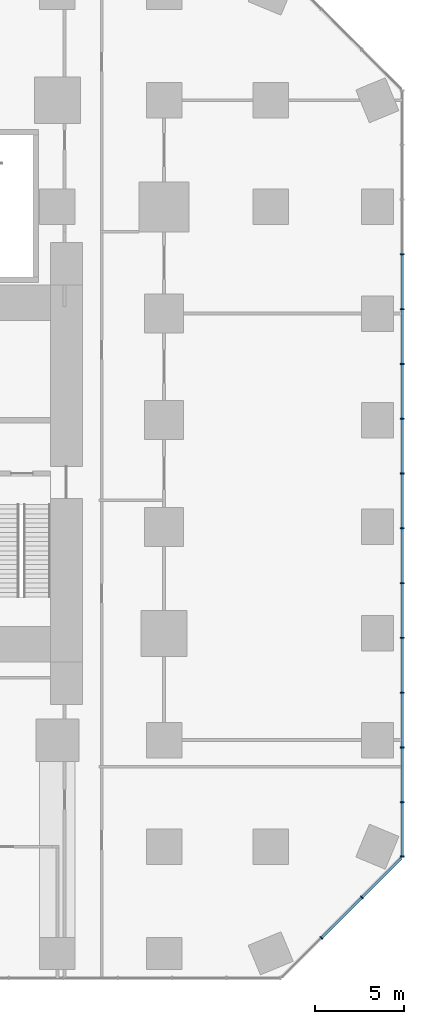
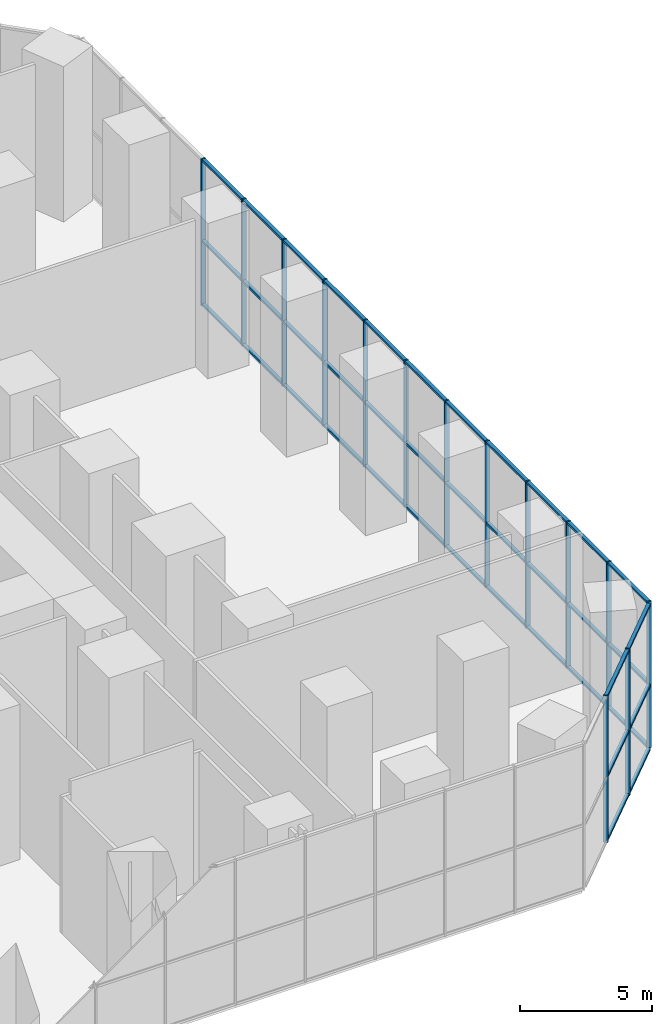
# One storey, part 7 of 16: 53 members, 2 elements without a shape of their own.
"""IFC4 building model written with IfcOpenShell, lengths in metres."""

from ifc_helpers import new_model, si_unit, direction, frame, origin, origin_2d, place, context, subcontext, project, spatial, rectangle, extrude, material, layer, layer_set, material_profile, profile_set, type_object, element, aggregate, save


model = new_model("IFC4")

# Units and contexts
model_context = context("Model", 3, precision=1e-05, world=origin(), true_north=direction((0.0, 1.0)))
body_context = subcontext(model_context, "Body", "Model", "MODEL_VIEW")
ifc_project = project(units=[si_unit("LENGTHUNIT", "METRE"), si_unit("AREAUNIT", "SQUARE_METRE"), si_unit("VOLUMEUNIT", "CUBIC_METRE"), si_unit("PLANEANGLEUNIT", "RADIAN"), si_unit("MASSUNIT", "GRAM", prefix="KILO")], contexts=[model_context])

# Site, building, storey
site_placement = place(None, origin())
site = spatial("IfcSite", under=ifc_project, at=site_placement, CompositionType="ELEMENT")
building_placement = place(site_placement, origin())
building = spatial("IfcBuilding", under=site, at=building_placement, Name="Highveld Stack Headquarters", CompositionType="ELEMENT")
storey_placement = place(building_placement, frame((0.0, 0.0, 11.0)))
storey = spatial("IfcBuildingStorey", under=building, at=storey_placement, Name="L02", CompositionType="ELEMENT", Elevation=11.0)

# Curtain wall, members
ifc_material_1 = material(Name="Aluminium bronze anodised", Category="aluminium")
ifc_layer = layer(ifc_material_1, 0.199951171875)
ifc_layer_set = layer_set([ifc_layer], Name="Aluminium bronze anodised")
curtain_wall_type = type_object("IfcCurtainWallType", Name="CW3 PODIUM STICK CURTAIN WALL", PredefinedType="NOTDEFINED", material=ifc_layer_set)
curtain_wall_1_placement = place(storey_placement, origin())
curtain_wall_1 = element("IfcCurtainWall", 1, at=curtain_wall_1_placement, inside=storey, type_object=curtain_wall_type, Name="Curtain wall CW3 L02 SE", PredefinedType="NOTDEFINED")
ifc_material_2 = material(Name="Aluminium bronze anodised", Category="aluminium")
ifc_material_profile_1 = material_profile(ifc_material_2, rectangle(XDim=0.199951171875, YDim=0.06494140625, at=origin_2d()), Name="CW3 MULLION 65x200")
ifc_profile_set_1 = profile_set([ifc_material_profile_1], Name="Aluminium bronze anodised")
member_type_1 = type_object("IfcMemberType", Name="CW3 MULLION 65x200", PredefinedType="MULLION", material=ifc_profile_set_1)
member_1_placement = place(storey_placement, frame((32.853271484375, -23.126708984375, 0.0), z_axis=(0.0, 0.0, 1.0), x_axis=(-0.707106781187, 0.707106781187, 0.0)))
member_1 = element("IfcMember", 2, at=member_1_placement, type_object=member_type_1, Name="CW3 mullion L02 1", PredefinedType="MULLION", context=body_context, shape_type="SweptSolid", body=[
    extrude(rectangle(XDim=0.199951171875, YDim=0.06494140625, at=origin_2d()), origin(), (0.0, 0.0, 1.0), 6.800048828125),
])
member_2_placement = place(storey_placement, frame((35.126708984375, -20.853271484375, 0.0), z_axis=(0.0, 0.0, 1.0), x_axis=(-0.707106781187, 0.707106781187, 0.0)))
member_2 = element("IfcMember", 3, at=member_2_placement, type_object=member_type_1, Name="CW3 mullion L02 2", PredefinedType="MULLION", context=body_context, shape_type="SweptSolid", body=[
    extrude(rectangle(XDim=0.199951171875, YDim=0.06494140625, at=origin_2d()), origin(), (0.0, 0.0, 1.0), 6.800048828125),
])

curtain_wall_2_placement = place(storey_placement, origin())
curtain_wall_2 = element("IfcCurtainWall", 4, at=curtain_wall_2_placement, inside=storey, type_object=curtain_wall_type, Name="Curtain wall CW3 L02 E", PredefinedType="NOTDEFINED")
member_3_placement = place(storey_placement, frame((37.39990234375, -18.54736328125, 0.0), z_axis=(0.0, 0.0, 1.0), x_axis=(-1.0, 0.0, 0.0)))
member_3 = element("IfcMember", 5, at=member_3_placement, type_object=member_type_1, Name="CW3 mullion L02 1", PredefinedType="MULLION", context=body_context, shape_type="SweptSolid", body=[
    extrude(rectangle(XDim=0.199951171875, YDim=0.06494140625, at=origin_2d()), origin(), (0.0, 0.0, 1.0), 6.800048828125),
])
member_4_placement = place(storey_placement, frame((37.39990234375, -15.4970703125, 0.0), z_axis=(0.0, 0.0, 1.0), x_axis=(-1.0, 0.0, 0.0)))
member_4 = element("IfcMember", 6, at=member_4_placement, type_object=member_type_1, Name="CW3 mullion L02 2", PredefinedType="MULLION", context=body_context, shape_type="SweptSolid", body=[
    extrude(rectangle(XDim=0.199951171875, YDim=0.06494140625, at=origin_2d()), origin(), (0.0, 0.0, 1.0), 6.800048828125),
])
member_5_placement = place(storey_placement, frame((37.39990234375, -12.414306640625, 0.0), z_axis=(0.0, 0.0, 1.0), x_axis=(-1.0, 0.0, 0.0)))
member_5 = element("IfcMember", 7, at=member_5_placement, type_object=member_type_1, Name="CW3 mullion L02 3", PredefinedType="MULLION", context=body_context, shape_type="SweptSolid", body=[
    extrude(rectangle(XDim=0.199951171875, YDim=0.06494140625, at=origin_2d()), origin(), (0.0, 0.0, 1.0), 6.800048828125),
])
member_6_placement = place(storey_placement, frame((37.39990234375, -9.331298828125, 0.0), z_axis=(0.0, 0.0, 1.0), x_axis=(-1.0, 0.0, 0.0)))
member_6 = element("IfcMember", 8, at=member_6_placement, type_object=member_type_1, Name="CW3 mullion L02 4", PredefinedType="MULLION", context=body_context, shape_type="SweptSolid", body=[
    extrude(rectangle(XDim=0.199951171875, YDim=0.06494140625, at=origin_2d()), origin(), (0.0, 0.0, 1.0), 6.800048828125),
])
member_7_placement = place(storey_placement, frame((37.39990234375, -6.24853515625, 0.0), z_axis=(0.0, 0.0, 1.0), x_axis=(-1.0, 0.0, 0.0)))
member_7 = element("IfcMember", 9, at=member_7_placement, type_object=member_type_1, Name="CW3 mullion L02 5", PredefinedType="MULLION", context=body_context, shape_type="SweptSolid", body=[
    extrude(rectangle(XDim=0.199951171875, YDim=0.06494140625, at=origin_2d()), origin(), (0.0, 0.0, 1.0), 6.800048828125),
])
member_8_placement = place(storey_placement, frame((37.39990234375, -3.165771484375, 0.0), z_axis=(0.0, 0.0, 1.0), x_axis=(-1.0, 0.0, 0.0)))
member_8 = element("IfcMember", 10, at=member_8_placement, type_object=member_type_1, Name="CW3 mullion L02 6", PredefinedType="MULLION", context=body_context, shape_type="SweptSolid", body=[
    extrude(rectangle(XDim=0.199951171875, YDim=0.06494140625, at=origin_2d()), origin(), (0.0, 0.0, 1.0), 6.800048828125),
])
member_9_placement = place(storey_placement, frame((37.39990234375, -0.082763671875, 0.0), z_axis=(0.0, 0.0, 1.0), x_axis=(-1.0, 0.0, 0.0)))
member_9 = element("IfcMember", 11, at=member_9_placement, type_object=member_type_1, Name="CW3 mullion L02 7", PredefinedType="MULLION", context=body_context, shape_type="SweptSolid", body=[
    extrude(rectangle(XDim=0.199951171875, YDim=0.06494140625, at=origin_2d()), origin(), (0.0, 0.0, 1.0), 6.800048828125),
])
member_10_placement = place(storey_placement, frame((37.39990234375, 3.0, 0.0), z_axis=(0.0, 0.0, 1.0), x_axis=(-1.0, 0.0, 0.0)))
member_10 = element("IfcMember", 12, at=member_10_placement, type_object=member_type_1, Name="CW3 mullion L02 8", PredefinedType="MULLION", context=body_context, shape_type="SweptSolid", body=[
    extrude(rectangle(XDim=0.199951171875, YDim=0.06494140625, at=origin_2d()), origin(), (0.0, 0.0, 1.0), 6.800048828125),
])
member_11_placement = place(storey_placement, frame((37.39990234375, 6.082763671875, 0.0), z_axis=(0.0, 0.0, 1.0), x_axis=(-1.0, 0.0, 0.0)))
member_11 = element("IfcMember", 13, at=member_11_placement, type_object=member_type_1, Name="CW3 mullion L02 9", PredefinedType="MULLION", context=body_context, shape_type="SweptSolid", body=[
    extrude(rectangle(XDim=0.199951171875, YDim=0.06494140625, at=origin_2d()), origin(), (0.0, 0.0, 1.0), 6.800048828125),
])
member_12_placement = place(storey_placement, frame((37.39990234375, 9.165771484375, 0.0), z_axis=(0.0, 0.0, 1.0), x_axis=(-1.0, 0.0, 0.0)))
member_12 = element("IfcMember", 14, at=member_12_placement, type_object=member_type_1, Name="CW3 mullion L02 10", PredefinedType="MULLION", context=body_context, shape_type="SweptSolid", body=[
    extrude(rectangle(XDim=0.199951171875, YDim=0.06494140625, at=origin_2d()), origin(), (0.0, 0.0, 1.0), 6.800048828125),
])
member_13_placement = place(storey_placement, frame((37.39990234375, 12.24853515625, 0.0), z_axis=(0.0, 0.0, 1.0), x_axis=(-1.0, 0.0, 0.0)))
member_13 = element("IfcMember", 15, at=member_13_placement, type_object=member_type_1, Name="CW3 mullion L02 11", PredefinedType="MULLION", context=body_context, shape_type="SweptSolid", body=[
    extrude(rectangle(XDim=0.199951171875, YDim=0.06494140625, at=origin_2d()), origin(), (0.0, 0.0, 1.0), 6.800048828125),
])
member_14_placement = place(storey_placement, frame((37.39990234375, 15.331298828125, 0.0), z_axis=(0.0, 0.0, 1.0), x_axis=(-1.0, 0.0, 0.0)))
member_14 = element("IfcMember", 16, at=member_14_placement, type_object=member_type_1, Name="CW3 mullion L02 12", PredefinedType="MULLION", context=body_context, shape_type="SweptSolid", body=[
    extrude(rectangle(XDim=0.199951171875, YDim=0.06494140625, at=origin_2d()), origin(), (0.0, 0.0, 1.0), 6.800048828125),
])

# Member
ifc_material_3 = material(Name="Aluminium bronze anodised", Category="aluminium")
ifc_material_profile_2 = material_profile(ifc_material_3, rectangle(XDim=0.14990234375, YDim=0.10009765625, at=origin_2d()), Name="CW3 TRANSOM 150x100")
ifc_profile_set_2 = profile_set([ifc_material_profile_2], Name="Aluminium bronze anodised")
member_type_2 = type_object("IfcMemberType", Name="CW3 STACK TRANSOM 150x100", PredefinedType="USERDEFINED", material=ifc_profile_set_2)
member_15_placement = place(storey_placement, frame((32.876220703125, -23.103759765625, 0.050048828125), z_axis=(0.707106781187, 0.707106781187, 0.0), x_axis=(-0.707106781187, 0.707106781187, 0.0)))
member_15 = element("IfcMember", 17, at=member_15_placement, type_object=member_type_2, Name="CW3 transom L02 2.1", ObjectType="TRANSOM", PredefinedType="USERDEFINED", context=body_context, shape_type="SweptSolid", body=[
    extrude(rectangle(XDim=0.14990234375, YDim=0.10009765625, at=origin_2d()), origin(), (0.0, 0.0, 1.0), 3.150146484375),
])

member_16_placement = place(storey_placement, frame((32.876220703125, -23.103759765625, 3.0), z_axis=(0.707106781187, 0.707106781187, 0.0), x_axis=(-0.707106781187, 0.707106781187, 0.0)))
member_16 = element("IfcMember", 18, at=member_16_placement, type_object=member_type_2, Name="CW3 transom L02 2.2", ObjectType="TRANSOM", PredefinedType="USERDEFINED", context=body_context, shape_type="SweptSolid", body=[
    extrude(rectangle(XDim=0.14990234375, YDim=0.10009765625, at=origin_2d()), origin(), (0.0, 0.0, 1.0), 3.150146484375),
])

member_17_placement = place(storey_placement, frame((32.876220703125, -23.103759765625, 6.75), z_axis=(0.707106781187, 0.707106781187, 0.0), x_axis=(-0.707106781187, 0.707106781187, 0.0)))
member_17 = element("IfcMember", 19, at=member_17_placement, type_object=member_type_2, Name="CW3 transom L02 2.3", ObjectType="TRANSOM", PredefinedType="USERDEFINED", context=body_context, shape_type="SweptSolid", body=[
    extrude(rectangle(XDim=0.14990234375, YDim=0.10009765625, at=origin_2d()), origin(), (0.0, 0.0, 1.0), 3.150146484375),
])

member_18_placement = place(storey_placement, frame((35.149658203125, -20.830322265625, 0.050048828125), z_axis=(0.707106781187, 0.707106781187, 0.0), x_axis=(-0.707106781187, 0.707106781187, 0.0)))
member_18 = element("IfcMember", 20, at=member_18_placement, type_object=member_type_2, Name="CW3 transom L02 3.1", ObjectType="TRANSOM", PredefinedType="USERDEFINED", context=body_context, shape_type="SweptSolid", body=[
    extrude(rectangle(XDim=0.14990234375, YDim=0.10009765625, at=origin_2d()), origin(), (0.0, 0.0, 1.0), 3.08251953125),
])

member_19_placement = place(storey_placement, frame((35.149658203125, -20.830322265625, 3.0), z_axis=(0.707106781187, 0.707106781187, 0.0), x_axis=(-0.707106781187, 0.707106781187, 0.0)))
member_19 = element("IfcMember", 21, at=member_19_placement, type_object=member_type_2, Name="CW3 transom L02 3.2", ObjectType="TRANSOM", PredefinedType="USERDEFINED", context=body_context, shape_type="SweptSolid", body=[
    extrude(rectangle(XDim=0.14990234375, YDim=0.10009765625, at=origin_2d()), origin(), (0.0, 0.0, 1.0), 3.08251953125),
])

member_20_placement = place(storey_placement, frame((35.149658203125, -20.830322265625, 6.75), z_axis=(0.707106781187, 0.707106781187, 0.0), x_axis=(-0.707106781187, 0.707106781187, 0.0)))
member_20 = element("IfcMember", 22, at=member_20_placement, type_object=member_type_2, Name="CW3 transom L02 3.3", ObjectType="TRANSOM", PredefinedType="USERDEFINED", context=body_context, shape_type="SweptSolid", body=[
    extrude(rectangle(XDim=0.14990234375, YDim=0.10009765625, at=origin_2d()), origin(), (0.0, 0.0, 1.0), 3.08251953125),
])

aggregate(curtain_wall_1, [member_1, member_2, member_15, member_16, member_17, member_18, member_19, member_20])

member_21_placement = place(storey_placement, frame((37.39990234375, -18.514892578125, 0.050048828125), z_axis=(0.0, 1.0, 0.0), x_axis=(-1.0, 0.0, 0.0)))
member_21 = element("IfcMember", 23, at=member_21_placement, type_object=member_type_2, Name="CW3 transom L02 1.1", ObjectType="TRANSOM", PredefinedType="USERDEFINED", context=body_context, shape_type="SweptSolid", body=[
    extrude(rectangle(XDim=0.14990234375, YDim=0.10009765625, at=origin_2d()), origin(), (0.0, 0.0, 1.0), 2.9853515625),
])

member_22_placement = place(storey_placement, frame((37.39990234375, -18.514892578125, 3.0), z_axis=(0.0, 1.0, 0.0), x_axis=(-1.0, 0.0, 0.0)))
member_22 = element("IfcMember", 24, at=member_22_placement, type_object=member_type_2, Name="CW3 transom L02 1.2", ObjectType="TRANSOM", PredefinedType="USERDEFINED", context=body_context, shape_type="SweptSolid", body=[
    extrude(rectangle(XDim=0.14990234375, YDim=0.10009765625, at=origin_2d()), origin(), (0.0, 0.0, 1.0), 2.9853515625),
])

member_23_placement = place(storey_placement, frame((37.39990234375, -18.514892578125, 6.75), z_axis=(0.0, 1.0, 0.0), x_axis=(-1.0, 0.0, 0.0)))
member_23 = element("IfcMember", 25, at=member_23_placement, type_object=member_type_2, Name="CW3 transom L02 1.3", ObjectType="TRANSOM", PredefinedType="USERDEFINED", context=body_context, shape_type="SweptSolid", body=[
    extrude(rectangle(XDim=0.14990234375, YDim=0.10009765625, at=origin_2d()), origin(), (0.0, 0.0, 1.0), 2.9853515625),
])

member_24_placement = place(storey_placement, frame((37.39990234375, -15.464599609375, 0.050048828125), z_axis=(0.0, 1.0, 0.0), x_axis=(-1.0, 0.0, 0.0)))
member_24 = element("IfcMember", 26, at=member_24_placement, type_object=member_type_2, Name="CW3 transom L02 2.1", ObjectType="TRANSOM", PredefinedType="USERDEFINED", context=body_context, shape_type="SweptSolid", body=[
    extrude(rectangle(XDim=0.14990234375, YDim=0.10009765625, at=origin_2d()), origin(), (0.0, 0.0, 1.0), 3.017822265625),
])

member_25_placement = place(storey_placement, frame((37.39990234375, -15.464599609375, 3.0), z_axis=(0.0, 1.0, 0.0), x_axis=(-1.0, 0.0, 0.0)))
member_25 = element("IfcMember", 27, at=member_25_placement, type_object=member_type_2, Name="CW3 transom L02 2.2", ObjectType="TRANSOM", PredefinedType="USERDEFINED", context=body_context, shape_type="SweptSolid", body=[
    extrude(rectangle(XDim=0.14990234375, YDim=0.10009765625, at=origin_2d()), origin(), (0.0, 0.0, 1.0), 3.017822265625),
])

member_26_placement = place(storey_placement, frame((37.39990234375, -15.464599609375, 6.75), z_axis=(0.0, 1.0, 0.0), x_axis=(-1.0, 0.0, 0.0)))
member_26 = element("IfcMember", 28, at=member_26_placement, type_object=member_type_2, Name="CW3 transom L02 2.3", ObjectType="TRANSOM", PredefinedType="USERDEFINED", context=body_context, shape_type="SweptSolid", body=[
    extrude(rectangle(XDim=0.14990234375, YDim=0.10009765625, at=origin_2d()), origin(), (0.0, 0.0, 1.0), 3.017822265625),
])

member_27_placement = place(storey_placement, frame((37.39990234375, -12.381591796875, 0.050048828125), z_axis=(0.0, 1.0, 0.0), x_axis=(-1.0, 0.0, 0.0)))
member_27 = element("IfcMember", 29, at=member_27_placement, type_object=member_type_2, Name="CW3 transom L02 3.1", ObjectType="TRANSOM", PredefinedType="USERDEFINED", context=body_context, shape_type="SweptSolid", body=[
    extrude(rectangle(XDim=0.14990234375, YDim=0.10009765625, at=origin_2d()), origin(), (0.0, 0.0, 1.0), 3.017578125),
])

member_28_placement = place(storey_placement, frame((37.39990234375, -12.381591796875, 3.0), z_axis=(0.0, 1.0, 0.0), x_axis=(-1.0, 0.0, 0.0)))
member_28 = element("IfcMember", 30, at=member_28_placement, type_object=member_type_2, Name="CW3 transom L02 3.2", ObjectType="TRANSOM", PredefinedType="USERDEFINED", context=body_context, shape_type="SweptSolid", body=[
    extrude(rectangle(XDim=0.14990234375, YDim=0.10009765625, at=origin_2d()), origin(), (0.0, 0.0, 1.0), 3.017578125),
])

member_29_placement = place(storey_placement, frame((37.39990234375, -12.381591796875, 6.75), z_axis=(0.0, 1.0, 0.0), x_axis=(-1.0, 0.0, 0.0)))
member_29 = element("IfcMember", 31, at=member_29_placement, type_object=member_type_2, Name="CW3 transom L02 3.3", ObjectType="TRANSOM", PredefinedType="USERDEFINED", context=body_context, shape_type="SweptSolid", body=[
    extrude(rectangle(XDim=0.14990234375, YDim=0.10009765625, at=origin_2d()), origin(), (0.0, 0.0, 1.0), 3.017578125),
])

member_30_placement = place(storey_placement, frame((37.39990234375, -9.298828125, 0.050048828125), z_axis=(0.0, 1.0, 0.0), x_axis=(-1.0, 0.0, 0.0)))
member_30 = element("IfcMember", 32, at=member_30_placement, type_object=member_type_2, Name="CW3 transom L02 4.1", ObjectType="TRANSOM", PredefinedType="USERDEFINED", context=body_context, shape_type="SweptSolid", body=[
    extrude(rectangle(XDim=0.14990234375, YDim=0.10009765625, at=origin_2d()), origin(), (0.0, 0.0, 1.0), 3.017822265625),
])

member_31_placement = place(storey_placement, frame((37.39990234375, -9.298828125, 3.0), z_axis=(0.0, 1.0, 0.0), x_axis=(-1.0, 0.0, 0.0)))
member_31 = element("IfcMember", 33, at=member_31_placement, type_object=member_type_2, Name="CW3 transom L02 4.2", ObjectType="TRANSOM", PredefinedType="USERDEFINED", context=body_context, shape_type="SweptSolid", body=[
    extrude(rectangle(XDim=0.14990234375, YDim=0.10009765625, at=origin_2d()), origin(), (0.0, 0.0, 1.0), 3.017822265625),
])

member_32_placement = place(storey_placement, frame((37.39990234375, -9.298828125, 6.75), z_axis=(0.0, 1.0, 0.0), x_axis=(-1.0, 0.0, 0.0)))
member_32 = element("IfcMember", 34, at=member_32_placement, type_object=member_type_2, Name="CW3 transom L02 4.3", ObjectType="TRANSOM", PredefinedType="USERDEFINED", context=body_context, shape_type="SweptSolid", body=[
    extrude(rectangle(XDim=0.14990234375, YDim=0.10009765625, at=origin_2d()), origin(), (0.0, 0.0, 1.0), 3.017822265625),
])

member_33_placement = place(storey_placement, frame((37.39990234375, -6.216064453125, 0.050048828125), z_axis=(0.0, 1.0, 0.0), x_axis=(-1.0, 0.0, 0.0)))
member_33 = element("IfcMember", 35, at=member_33_placement, type_object=member_type_2, Name="CW3 transom L02 5.1", ObjectType="TRANSOM", PredefinedType="USERDEFINED", context=body_context, shape_type="SweptSolid", body=[
    extrude(rectangle(XDim=0.14990234375, YDim=0.10009765625, at=origin_2d()), origin(), (0.0, 0.0, 1.0), 3.017822265625),
])

member_34_placement = place(storey_placement, frame((37.39990234375, -6.216064453125, 3.0), z_axis=(0.0, 1.0, 0.0), x_axis=(-1.0, 0.0, 0.0)))
member_34 = element("IfcMember", 36, at=member_34_placement, type_object=member_type_2, Name="CW3 transom L02 5.2", ObjectType="TRANSOM", PredefinedType="USERDEFINED", context=body_context, shape_type="SweptSolid", body=[
    extrude(rectangle(XDim=0.14990234375, YDim=0.10009765625, at=origin_2d()), origin(), (0.0, 0.0, 1.0), 3.017822265625),
])

member_35_placement = place(storey_placement, frame((37.39990234375, -6.216064453125, 6.75), z_axis=(0.0, 1.0, 0.0), x_axis=(-1.0, 0.0, 0.0)))
member_35 = element("IfcMember", 37, at=member_35_placement, type_object=member_type_2, Name="CW3 transom L02 5.3", ObjectType="TRANSOM", PredefinedType="USERDEFINED", context=body_context, shape_type="SweptSolid", body=[
    extrude(rectangle(XDim=0.14990234375, YDim=0.10009765625, at=origin_2d()), origin(), (0.0, 0.0, 1.0), 3.017822265625),
])

member_36_placement = place(storey_placement, frame((37.39990234375, -3.13330078125, 0.050048828125), z_axis=(0.0, 1.0, 0.0), x_axis=(-1.0, 0.0, 0.0)))
member_36 = element("IfcMember", 38, at=member_36_placement, type_object=member_type_2, Name="CW3 transom L02 6.1", ObjectType="TRANSOM", PredefinedType="USERDEFINED", context=body_context, shape_type="SweptSolid", body=[
    extrude(rectangle(XDim=0.14990234375, YDim=0.10009765625, at=origin_2d()), origin(), (0.0, 0.0, 1.0), 3.01806640625),
])

member_37_placement = place(storey_placement, frame((37.39990234375, -3.13330078125, 3.0), z_axis=(0.0, 1.0, 0.0), x_axis=(-1.0, 0.0, 0.0)))
member_37 = element("IfcMember", 39, at=member_37_placement, type_object=member_type_2, Name="CW3 transom L02 6.2", ObjectType="TRANSOM", PredefinedType="USERDEFINED", context=body_context, shape_type="SweptSolid", body=[
    extrude(rectangle(XDim=0.14990234375, YDim=0.10009765625, at=origin_2d()), origin(), (0.0, 0.0, 1.0), 3.01806640625),
])

member_38_placement = place(storey_placement, frame((37.39990234375, -3.13330078125, 6.75), z_axis=(0.0, 1.0, 0.0), x_axis=(-1.0, 0.0, 0.0)))
member_38 = element("IfcMember", 40, at=member_38_placement, type_object=member_type_2, Name="CW3 transom L02 6.3", ObjectType="TRANSOM", PredefinedType="USERDEFINED", context=body_context, shape_type="SweptSolid", body=[
    extrude(rectangle(XDim=0.14990234375, YDim=0.10009765625, at=origin_2d()), origin(), (0.0, 0.0, 1.0), 3.01806640625),
])

member_39_placement = place(storey_placement, frame((37.39990234375, -0.05029296875, 0.050048828125), z_axis=(0.0, 1.0, 0.0), x_axis=(-1.0, 0.0, 0.0)))
member_39 = element("IfcMember", 41, at=member_39_placement, type_object=member_type_2, Name="CW3 transom L02 7.1", ObjectType="TRANSOM", PredefinedType="USERDEFINED", context=body_context, shape_type="SweptSolid", body=[
    extrude(rectangle(XDim=0.14990234375, YDim=0.10009765625, at=origin_2d()), origin(), (0.0, 0.0, 1.0), 3.017822265625),
])

member_40_placement = place(storey_placement, frame((37.39990234375, -0.05029296875, 3.0), z_axis=(0.0, 1.0, 0.0), x_axis=(-1.0, 0.0, 0.0)))
member_40 = element("IfcMember", 42, at=member_40_placement, type_object=member_type_2, Name="CW3 transom L02 7.2", ObjectType="TRANSOM", PredefinedType="USERDEFINED", context=body_context, shape_type="SweptSolid", body=[
    extrude(rectangle(XDim=0.14990234375, YDim=0.10009765625, at=origin_2d()), origin(), (0.0, 0.0, 1.0), 3.017822265625),
])

member_41_placement = place(storey_placement, frame((37.39990234375, -0.05029296875, 6.75), z_axis=(0.0, 1.0, 0.0), x_axis=(-1.0, 0.0, 0.0)))
member_41 = element("IfcMember", 43, at=member_41_placement, type_object=member_type_2, Name="CW3 transom L02 7.3", ObjectType="TRANSOM", PredefinedType="USERDEFINED", context=body_context, shape_type="SweptSolid", body=[
    extrude(rectangle(XDim=0.14990234375, YDim=0.10009765625, at=origin_2d()), origin(), (0.0, 0.0, 1.0), 3.017822265625),
])

member_42_placement = place(storey_placement, frame((37.39990234375, 3.032470703125, 0.050048828125), z_axis=(0.0, 1.0, 0.0), x_axis=(-1.0, 0.0, 0.0)))
member_42 = element("IfcMember", 44, at=member_42_placement, type_object=member_type_2, Name="CW3 transom L02 8.1", ObjectType="TRANSOM", PredefinedType="USERDEFINED", context=body_context, shape_type="SweptSolid", body=[
    extrude(rectangle(XDim=0.14990234375, YDim=0.10009765625, at=origin_2d()), origin(), (0.0, 0.0, 1.0), 3.017822265625),
])

member_43_placement = place(storey_placement, frame((37.39990234375, 3.032470703125, 3.0), z_axis=(0.0, 1.0, 0.0), x_axis=(-1.0, 0.0, 0.0)))
member_43 = element("IfcMember", 45, at=member_43_placement, type_object=member_type_2, Name="CW3 transom L02 8.2", ObjectType="TRANSOM", PredefinedType="USERDEFINED", context=body_context, shape_type="SweptSolid", body=[
    extrude(rectangle(XDim=0.14990234375, YDim=0.10009765625, at=origin_2d()), origin(), (0.0, 0.0, 1.0), 3.017822265625),
])

member_44_placement = place(storey_placement, frame((37.39990234375, 3.032470703125, 6.75), z_axis=(0.0, 1.0, 0.0), x_axis=(-1.0, 0.0, 0.0)))
member_44 = element("IfcMember", 46, at=member_44_placement, type_object=member_type_2, Name="CW3 transom L02 8.3", ObjectType="TRANSOM", PredefinedType="USERDEFINED", context=body_context, shape_type="SweptSolid", body=[
    extrude(rectangle(XDim=0.14990234375, YDim=0.10009765625, at=origin_2d()), origin(), (0.0, 0.0, 1.0), 3.017822265625),
])

member_45_placement = place(storey_placement, frame((37.39990234375, 6.115234375, 0.050048828125), z_axis=(0.0, 1.0, 0.0), x_axis=(-1.0, 0.0, 0.0)))
member_45 = element("IfcMember", 47, at=member_45_placement, type_object=member_type_2, Name="CW3 transom L02 9.1", ObjectType="TRANSOM", PredefinedType="USERDEFINED", context=body_context, shape_type="SweptSolid", body=[
    extrude(rectangle(XDim=0.14990234375, YDim=0.10009765625, at=origin_2d()), origin(), (0.0, 0.0, 1.0), 3.01806640625),
])

member_46_placement = place(storey_placement, frame((37.39990234375, 6.115234375, 3.0), z_axis=(0.0, 1.0, 0.0), x_axis=(-1.0, 0.0, 0.0)))
member_46 = element("IfcMember", 48, at=member_46_placement, type_object=member_type_2, Name="CW3 transom L02 9.2", ObjectType="TRANSOM", PredefinedType="USERDEFINED", context=body_context, shape_type="SweptSolid", body=[
    extrude(rectangle(XDim=0.14990234375, YDim=0.10009765625, at=origin_2d()), origin(), (0.0, 0.0, 1.0), 3.01806640625),
])

member_47_placement = place(storey_placement, frame((37.39990234375, 6.115234375, 6.75), z_axis=(0.0, 1.0, 0.0), x_axis=(-1.0, 0.0, 0.0)))
member_47 = element("IfcMember", 49, at=member_47_placement, type_object=member_type_2, Name="CW3 transom L02 9.3", ObjectType="TRANSOM", PredefinedType="USERDEFINED", context=body_context, shape_type="SweptSolid", body=[
    extrude(rectangle(XDim=0.14990234375, YDim=0.10009765625, at=origin_2d()), origin(), (0.0, 0.0, 1.0), 3.01806640625),
])

member_48_placement = place(storey_placement, frame((37.39990234375, 9.1982421875, 0.050048828125), z_axis=(0.0, 1.0, 0.0), x_axis=(-1.0, 0.0, 0.0)))
member_48 = element("IfcMember", 50, at=member_48_placement, type_object=member_type_2, Name="CW3 transom L02 10.1", ObjectType="TRANSOM", PredefinedType="USERDEFINED", context=body_context, shape_type="SweptSolid", body=[
    extrude(rectangle(XDim=0.14990234375, YDim=0.10009765625, at=origin_2d()), origin(), (0.0, 0.0, 1.0), 3.017822265625),
])

member_49_placement = place(storey_placement, frame((37.39990234375, 9.1982421875, 3.0), z_axis=(0.0, 1.0, 0.0), x_axis=(-1.0, 0.0, 0.0)))
member_49 = element("IfcMember", 51, at=member_49_placement, type_object=member_type_2, Name="CW3 transom L02 10.2", ObjectType="TRANSOM", PredefinedType="USERDEFINED", context=body_context, shape_type="SweptSolid", body=[
    extrude(rectangle(XDim=0.14990234375, YDim=0.10009765625, at=origin_2d()), origin(), (0.0, 0.0, 1.0), 3.017822265625),
])

member_50_placement = place(storey_placement, frame((37.39990234375, 9.1982421875, 6.75), z_axis=(0.0, 1.0, 0.0), x_axis=(-1.0, 0.0, 0.0)))
member_50 = element("IfcMember", 52, at=member_50_placement, type_object=member_type_2, Name="CW3 transom L02 10.3", ObjectType="TRANSOM", PredefinedType="USERDEFINED", context=body_context, shape_type="SweptSolid", body=[
    extrude(rectangle(XDim=0.14990234375, YDim=0.10009765625, at=origin_2d()), origin(), (0.0, 0.0, 1.0), 3.017822265625),
])

member_51_placement = place(storey_placement, frame((37.39990234375, 12.281005859375, 0.050048828125), z_axis=(0.0, 1.0, 0.0), x_axis=(-1.0, 0.0, 0.0)))
member_51 = element("IfcMember", 53, at=member_51_placement, type_object=member_type_2, Name="CW3 transom L02 11.1", ObjectType="TRANSOM", PredefinedType="USERDEFINED", context=body_context, shape_type="SweptSolid", body=[
    extrude(rectangle(XDim=0.14990234375, YDim=0.10009765625, at=origin_2d()), origin(), (0.0, 0.0, 1.0), 3.017822265625),
])

member_52_placement = place(storey_placement, frame((37.39990234375, 12.281005859375, 3.0), z_axis=(0.0, 1.0, 0.0), x_axis=(-1.0, 0.0, 0.0)))
member_52 = element("IfcMember", 54, at=member_52_placement, type_object=member_type_2, Name="CW3 transom L02 11.2", ObjectType="TRANSOM", PredefinedType="USERDEFINED", context=body_context, shape_type="SweptSolid", body=[
    extrude(rectangle(XDim=0.14990234375, YDim=0.10009765625, at=origin_2d()), origin(), (0.0, 0.0, 1.0), 3.017822265625),
])

member_53_placement = place(storey_placement, frame((37.39990234375, 12.281005859375, 6.75), z_axis=(0.0, 1.0, 0.0), x_axis=(-1.0, 0.0, 0.0)))
member_53 = element("IfcMember", 55, at=member_53_placement, type_object=member_type_2, Name="CW3 transom L02 11.3", ObjectType="TRANSOM", PredefinedType="USERDEFINED", context=body_context, shape_type="SweptSolid", body=[
    extrude(rectangle(XDim=0.14990234375, YDim=0.10009765625, at=origin_2d()), origin(), (0.0, 0.0, 1.0), 3.017822265625),
])

aggregate(curtain_wall_2, [member_3, member_4, member_5, member_6, member_7, member_8, member_9, member_10, member_11, member_12, member_13, member_14, member_21, member_22, member_23, member_24, member_25, member_26, member_27, member_28, member_29, member_30, member_31, member_32, member_33, member_34, member_35, member_36, member_37, member_38, member_39, member_40, member_41, member_42, member_43, member_44, member_45, member_46, member_47, member_48, member_49, member_50, member_51, member_52, member_53])

save(model, "model.ifc")
